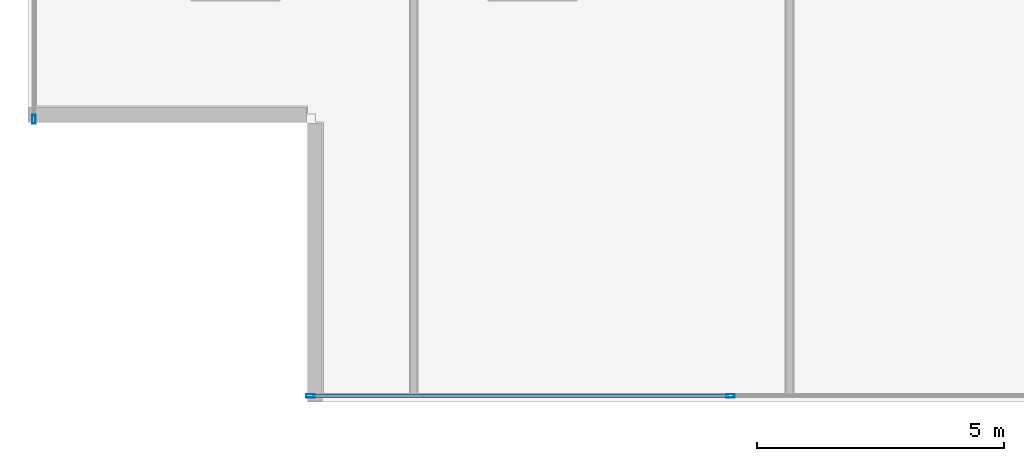
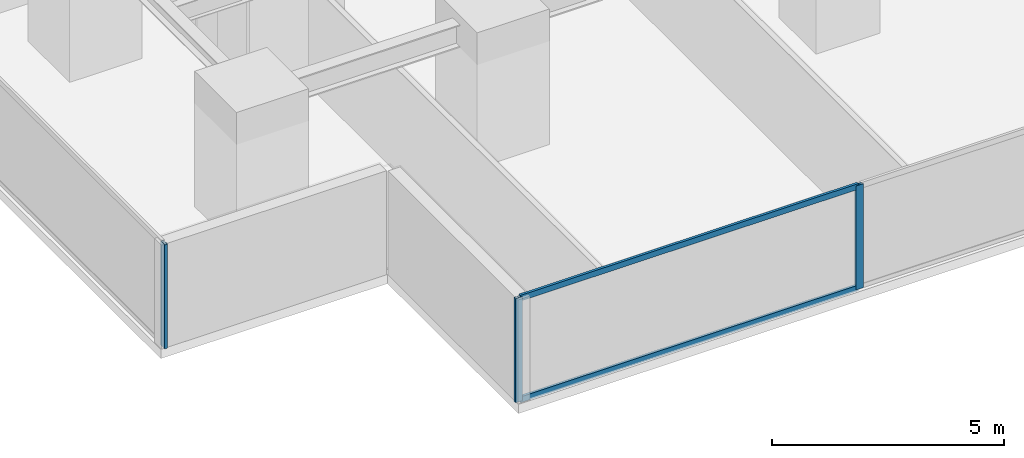
# One storey, part 2 of 34: 5 members, 2 elements without a shape of their own.
"""IFC4 building model written with IfcOpenShell, lengths in metres."""

from ifc_helpers import new_model, si_unit, direction, frame, origin, origin_2d, place, context, subcontext, project, spatial, hollow_rectangle, extrude, source, transform, mapped, material, layer, layer_set, material_profile, profile_set, type_object, element, aggregate, save


model = new_model("IFC4")

# Units and contexts
model_context = context("Model", 3, precision=1e-05, world=origin(), true_north=direction((0.0, 1.0)))
body_context = subcontext(model_context, "Body", "Model", "MODEL_VIEW")
ifc_project = project(units=[si_unit("LENGTHUNIT", "METRE"), si_unit("AREAUNIT", "SQUARE_METRE"), si_unit("VOLUMEUNIT", "CUBIC_METRE"), si_unit("PLANEANGLEUNIT", "RADIAN"), si_unit("MASSUNIT", "GRAM", prefix="KILO")], contexts=[model_context])

# Site, building, storey
site_placement = place(None, origin())
site = spatial("IfcSite", under=ifc_project, at=site_placement, CompositionType="ELEMENT")
building_placement = place(site_placement, origin())
building = spatial("IfcBuilding", under=site, at=building_placement, Name="Sumidabori Civic Tower", CompositionType="ELEMENT")
storey_placement = place(building_placement, frame((0.0, 0.0, 41.60009765625)))
storey = spatial("IfcBuildingStorey", under=building, at=storey_placement, Name="L10", CompositionType="ELEMENT", Elevation=41.60009765625)

# Curtain wall, members
ifc_material = material(Name="Anodised Bronze Aluminium AW-6063-T6", Category="aluminium")
ifc_layer = layer(ifc_material, 0.179931640625, Name="Anodised Bronze Aluminium AW-6063-T6")
ifc_layer_set = layer_set([ifc_layer], Name="Anodised Bronze Aluminium AW-6063-T6")
curtain_wall_type = type_object("IfcCurtainWallType", Name="CW-SYS-2", PredefinedType="NOTDEFINED", material=ifc_layer_set)
curtain_wall_1_placement = place(storey_placement, origin())
curtain_wall_1 = element("IfcCurtainWall", 1, at=curtain_wall_1_placement, inside=storey, type_object=curtain_wall_type, Name="Curtain Wall CW:L10:R01", PredefinedType="NOTDEFINED")
ifc_material_profile_1 = material_profile(ifc_material, hollow_rectangle(XDim=0.070068359375, YDim=0.179931640625, WallThickness=0.006103515625, at=origin_2d()), Name="ALU MULLION 180x70")
ifc_profile_set_1 = profile_set([ifc_material_profile_1], Name="Anodised Bronze Aluminium AW-6063-T6")
member_type_1 = type_object("IfcMemberType", Name="CW-MUL-180", PredefinedType="MULLION", material=ifc_profile_set_1)
shared_shape_1 = source(origin(), body_context, "Body", "SweptSolid", [
    extrude(hollow_rectangle(XDim=0.070068359375, YDim=0.179931640625, WallThickness=0.006103515625, at=origin_2d()), origin(), (0.0, 0.0, 1.0), 2.739990234375),
])
member_1_placement = place(storey_placement, frame((-21.284912109375, -26.8798828125, 0.0), z_axis=(0.0, 0.0, 1.0), x_axis=(0.0, 1.0, 0.0)))
member_1 = element("IfcMember", 2, at=member_1_placement, type_object=member_type_1, Name="CW-2 mullion 1", PredefinedType="MULLION", context=body_context, shape_type="MappedRepresentation", body=[
    mapped(shared_shape_1, transform((0.0, 0.0, 0.0), x_axis=(1.0, 0.0, 0.0), y_axis=(0.0, 1.0, 0.0), z_axis=(0.0, 0.0, 1.0), scale=1.0)),
])
member_2_placement = place(storey_placement, frame((-12.7919921875, -26.8798828125, 0.0), z_axis=(0.0, 0.0, 1.0), x_axis=(0.0, 1.0, 0.0)))
member_2 = element("IfcMember", 3, at=member_2_placement, type_object=member_type_1, Name="CW-2 mullion 2", PredefinedType="MULLION", context=body_context, shape_type="MappedRepresentation", body=[
    mapped(shared_shape_1, transform((0.0, 0.0, 0.0), x_axis=(1.0, 0.0, 0.0), y_axis=(0.0, 1.0, 0.0), z_axis=(0.0, 0.0, 1.0), scale=1.0)),
])

# Curtain wall, member
curtain_wall_2_placement = place(storey_placement, origin())
curtain_wall_2 = element("IfcCurtainWall", 4, at=curtain_wall_2_placement, inside=storey, type_object=curtain_wall_type, Name="Curtain Wall CW:L10:R10", PredefinedType="NOTDEFINED")
member_3_placement = place(storey_placement, frame((-26.8798828125, -21.284912109375, 0.0), z_axis=(0.0, 0.0, 1.0), x_axis=(1.0, 0.0, 0.0)))
member_3 = element("IfcMember", 5, at=member_3_placement, type_object=member_type_1, Name="CW-2 mullion 6", PredefinedType="MULLION", context=body_context, shape_type="MappedRepresentation", body=[
    mapped(shared_shape_1, transform((0.0, 0.0, 0.0), x_axis=(1.0, 0.0, 0.0), y_axis=(0.0, 1.0, 0.0), z_axis=(0.0, 0.0, 1.0), scale=1.0)),
])
aggregate(curtain_wall_2, [member_3])

# Member
ifc_material_profile_2 = material_profile(ifc_material, hollow_rectangle(XDim=0.06494140625, YDim=0.14990234375, WallThickness=0.0048828125, at=origin_2d()), Name="ALU TRANSOM 150x65")
ifc_profile_set_2 = profile_set([ifc_material_profile_2], Name="Anodised Bronze Aluminium AW-6063-T6")
member_type_2 = type_object("IfcMemberType", Name="CW-TRN-150", PredefinedType="USERDEFINED", material=ifc_profile_set_2)
shared_shape_2 = source(origin(), body_context, "Body", "SweptSolid", [
    extrude(hollow_rectangle(XDim=0.06494140625, YDim=0.14990234375, WallThickness=0.0048828125, at=origin_2d()), origin(), (0.0, 0.0, 1.0), 8.423095703125),
])
member_4_placement = place(storey_placement, frame((-21.25, -26.8798828125, 0.032470703125), z_axis=(1.0, 0.0, 0.0), x_axis=(0.0, 1.0, 0.0)))
member_4 = element("IfcMember", 6, at=member_4_placement, type_object=member_type_2, Name="CW-2 transom 1.1", ObjectType="TRANSOM", PredefinedType="USERDEFINED", context=body_context, shape_type="MappedRepresentation", body=[
    mapped(shared_shape_2, transform((0.0, 0.0, 0.0), x_axis=(1.0, 0.0, 0.0), y_axis=(0.0, 1.0, 0.0), z_axis=(0.0, 0.0, 1.0), scale=1.0)),
])

member_5_placement = place(storey_placement, frame((-21.25, -26.8798828125, 2.70751953125), z_axis=(1.0, 0.0, 0.0), x_axis=(0.0, 1.0, 0.0)))
member_5 = element("IfcMember", 7, at=member_5_placement, type_object=member_type_2, Name="CW-2 transom 1.2", ObjectType="TRANSOM", PredefinedType="USERDEFINED", context=body_context, shape_type="MappedRepresentation", body=[
    mapped(shared_shape_2, transform((0.0, 0.0, 0.0), x_axis=(1.0, 0.0, 0.0), y_axis=(0.0, 1.0, 0.0), z_axis=(0.0, 0.0, 1.0), scale=1.0)),
])

aggregate(curtain_wall_1, [member_1, member_2, member_4, member_5])

save(model, "model.ifc")
